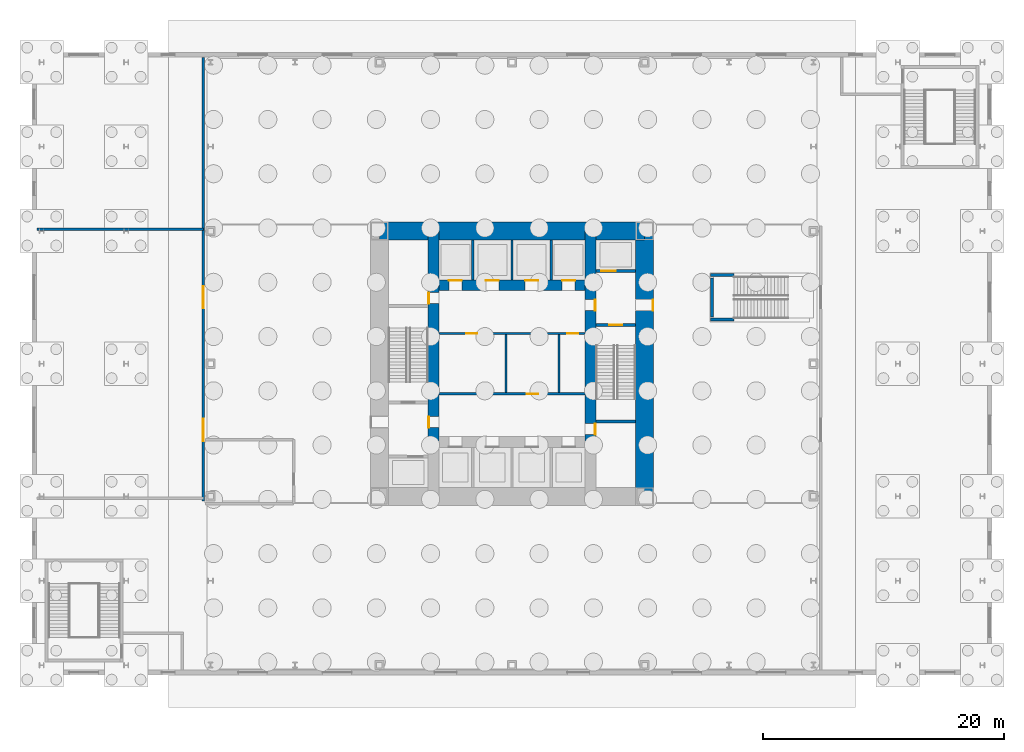
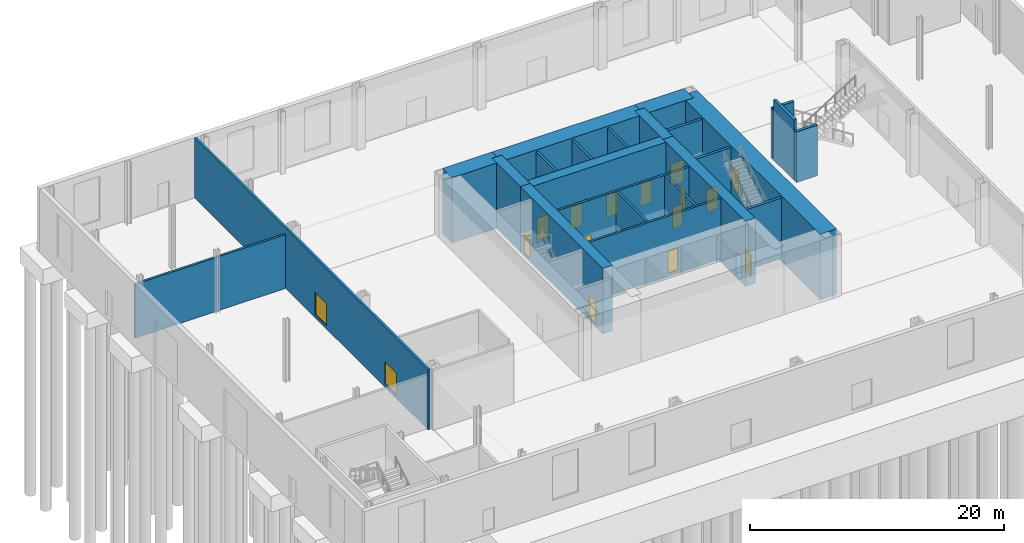
# One storey, part 10 of 16: 24 walls, 16 doors, 16 openings.
"""IFC4 building model written with IfcOpenShell, lengths in metres."""

from ifc_helpers import new_model, si_unit, direction, frame, frame_2d, origin, place, context, subcontext, project, spatial, rectangle, extrude, material, layer, layer_set, type_object, element, fill, save


model = new_model("IFC4")

# Units and contexts
model_context = context("Model", 3, precision=1e-05, world=origin(), true_north=direction((0.0, 1.0)))
body_context = subcontext(model_context, "Body", "Model", "MODEL_VIEW")
ifc_project = project(units=[si_unit("LENGTHUNIT", "METRE"), si_unit("AREAUNIT", "SQUARE_METRE"), si_unit("VOLUMEUNIT", "CUBIC_METRE"), si_unit("PLANEANGLEUNIT", "RADIAN"), si_unit("MASSUNIT", "GRAM", prefix="KILO")], contexts=[model_context])

# Site, building, storey
site_placement = place(None, origin())
site = spatial("IfcSite", under=ifc_project, at=site_placement, CompositionType="ELEMENT")
building_placement = place(site_placement, origin())
building = spatial("IfcBuilding", under=site, at=building_placement, Name="Trevanion Tower", CompositionType="ELEMENT")
storey_placement = place(building_placement, origin())
storey = spatial("IfcBuildingStorey", under=building, at=storey_placement, Name="L00", CompositionType="ELEMENT", Elevation=0.0)

# Wall, opening, door
ifc_material_1 = material(Name="Concrete 10,000 psi", Category="concrete")
ifc_layer_1 = layer(ifc_material_1, 1.5)
ifc_layer_set_1 = layer_set([ifc_layer_1], Name="CW1 core wall 1500")
wall_type_1 = type_object("IfcWallType", Name="CW1 core wall 1500", PredefinedType="SHEAR", material=ifc_layer_set_1)
wall_1_placement = place(storey_placement, frame((11.0, -11.0, -0.300048828125), z_axis=(0.0, 0.0, 1.0), x_axis=(0.0, 1.0, 0.0)))
wall_1 = element("IfcWall", 1, at=wall_1_placement, inside=storey, type_object=wall_type_1, Name="CW1 CE L00", PredefinedType="SHEAR", context=body_context, shape_type="SweptSolid", body=[
    extrude(rectangle(XDim=22.0, YDim=1.5, at=frame_2d((11.0, 0.0))), origin(), (0.0, 0.0, 1.0), 6.300048828125),
])
opening_1_placement = place(wall_1_placement, frame((15.392578125, 0.0, 0.300048828125)))
opening_1 = element("IfcOpeningElement", 2, at=opening_1_placement, cuts=wall_1, Name="Opening 00-001", PredefinedType="OPENING", context=body_context, shape_type="SweptSolid", body=[
    extrude(rectangle(XDim=0.9150390625, YDim=2.134033203125, at=frame_2d((0.45751953125, 1.06689453125))), frame((0.0, 0.760009765625, 0.0), z_axis=(0.0, -1.0, 0.0), x_axis=(1.0, 0.0, 0.0)), (0.0, 0.0, 1.0), 1.52001953125),
])
ifc_material_2 = material(Name="Hollow metal, fire rated", Category="steel")
door_type_1 = type_object("IfcDoorType", Name="D3 fire lift lobby door", OperationType="SINGLE_SWING_RIGHT", PredefinedType="DOOR", material=ifc_material_2)
door_1_placement = place(opening_1_placement, origin())
door_1 = element("IfcDoor", 3, at=door_1_placement, inside=storey, type_object=door_type_1, Name="Door 00-001", OperationType="SINGLE_SWING_RIGHT", OverallHeight=2.134033203125, OverallWidth=0.9150390625, PredefinedType="DOOR", context=body_context, shape_type="SweptSolid", body=[
    extrude(rectangle(XDim=0.9150390625, YDim=2.134033203125, at=frame_2d((0.45751953125, 1.06689453125))), frame((0.0, -0.6748046875, 0.0), z_axis=(0.0, -1.0, 0.0), x_axis=(1.0, 0.0, 0.0)), (0.0, 0.0, 1.0), 0.050048828125),
])
fill(opening_1, door_1)

# Walls
wall_2_placement = place(storey_placement, frame((11.0, 11.0, -0.300048828125), z_axis=(0.0, 0.0, 1.0), x_axis=(-1.0, 0.0, 0.0)))
element("IfcWall", 4, at=wall_2_placement, inside=storey, type_object=wall_type_1, Name="CW1 CN1 L00", PredefinedType="SHEAR", context=body_context, shape_type="SweptSolid", body=[
    extrude(rectangle(XDim=4.5, YDim=1.5, at=frame_2d((2.25, 0.0))), origin(), (0.0, 0.0, 1.0), 6.300048828125),
])
wall_3_placement = place(storey_placement, frame((6.5, 11.0, -0.300048828125), z_axis=(0.0, 0.0, 1.0), x_axis=(-1.0, 0.0, 0.0)))
element("IfcWall", 5, at=wall_3_placement, inside=storey, type_object=wall_type_1, Name="CW1 CN2 L00", PredefinedType="SHEAR", context=body_context, shape_type="SweptSolid", body=[
    extrude(rectangle(XDim=13.0, YDim=1.5, at=frame_2d((6.5, 0.0))), origin(), (0.0, 0.0, 1.0), 6.300048828125),
])
wall_4_placement = place(storey_placement, frame((-6.5, 11.0, -0.300048828125), z_axis=(0.0, 0.0, 1.0), x_axis=(-1.0, 0.0, 0.0)))
element("IfcWall", 6, at=wall_4_placement, inside=storey, type_object=wall_type_1, Name="CW1 CN3 L00", PredefinedType="SHEAR", context=body_context, shape_type="SweptSolid", body=[
    extrude(rectangle(XDim=4.5, YDim=1.5, at=frame_2d((2.25, 0.0))), origin(), (0.0, 0.0, 1.0), 6.300048828125),
])

# Wall, openings, doors
ifc_material_3 = material(Name="Concrete 10,000 psi", Category="concrete")
ifc_layer_2 = layer(ifc_material_3, 0.89990234375)
ifc_layer_set_2 = layer_set([ifc_layer_2], Name="CW2 core wall 900")
wall_type_2 = type_object("IfcWallType", Name="CW2 core wall 900", PredefinedType="SHEAR", material=ifc_layer_set_2)
wall_5_placement = place(storey_placement, frame((6.5, -6.5, -0.300048828125), z_axis=(0.0, 0.0, 1.0), x_axis=(0.0, 1.0, 0.0)))
wall_5 = element("IfcWall", 7, at=wall_5_placement, inside=storey, type_object=wall_type_2, Name="CW2 RE2 L00", PredefinedType="SHEAR", context=body_context, shape_type="SweptSolid", body=[
    extrude(rectangle(XDim=13.0, YDim=0.89990234375, at=frame_2d((6.5, 0.0))), origin(), (0.0, 0.0, 1.0), 6.300048828125),
])
opening_2_placement = place(wall_5_placement, frame((10.892578125, 0.0, 0.300048828125)))
opening_2 = element("IfcOpeningElement", 8, at=opening_2_placement, cuts=wall_5, Name="Opening 00-003", PredefinedType="OPENING", context=body_context, shape_type="SweptSolid", body=[
    extrude(rectangle(XDim=0.9150390625, YDim=2.134033203125, at=frame_2d((0.45751953125, 1.06689453125))), frame((0.0, 0.4599609375, 0.0), z_axis=(0.0, -1.0, 0.0), x_axis=(1.0, 0.0, 0.0)), (0.0, 0.0, 1.0), 0.919921875),
])
opening_3_placement = place(wall_5_placement, frame((0.610107421875, 0.0, 0.300048828125)))
opening_3 = element("IfcOpeningElement", 9, at=opening_3_placement, cuts=wall_5, Name="Opening 00-009", PredefinedType="OPENING", context=body_context, shape_type="SweptSolid", body=[
    extrude(rectangle(XDim=0.9150390625, YDim=2.134033203125, at=frame_2d((0.45751953125, 1.06689453125))), frame((0.0, 0.4599609375, 0.0), z_axis=(0.0, -1.0, 0.0), x_axis=(1.0, 0.0, 0.0)), (0.0, 0.0, 1.0), 0.919921875),
])
door_2_placement = place(opening_2_placement, origin())
door_2 = element("IfcDoor", 10, at=door_2_placement, inside=storey, type_object=door_type_1, Name="Door 00-003", OperationType="SINGLE_SWING_RIGHT", OverallHeight=2.134033203125, OverallWidth=0.9150390625, PredefinedType="DOOR", context=body_context, shape_type="SweptSolid", body=[
    extrude(rectangle(XDim=0.9150390625, YDim=2.134033203125, at=frame_2d((0.45751953125, 1.06689453125))), frame((0.0, -0.375, 0.0), z_axis=(0.0, -1.0, 0.0), x_axis=(1.0, 0.0, 0.0)), (0.0, 0.0, 1.0), 0.050048828125),
])
fill(opening_2, door_2)
ifc_material_4 = material(Name="Hollow metal, fire rated", Category="steel")
door_type_2 = type_object("IfcDoorType", Name="D5 service room door", OperationType="SINGLE_SWING_RIGHT", PredefinedType="DOOR", material=ifc_material_4)
door_3_placement = place(opening_3_placement, origin())
door_3 = element("IfcDoor", 11, at=door_3_placement, inside=storey, type_object=door_type_2, Name="Door 00-009", OperationType="SINGLE_SWING_RIGHT", OverallHeight=2.134033203125, OverallWidth=0.9150390625, PredefinedType="DOOR", context=body_context, shape_type="SweptSolid", body=[
    extrude(rectangle(XDim=0.9150390625, YDim=2.134033203125, at=frame_2d((0.45751953125, 1.06689453125))), frame((0.0, -0.375, 0.0), z_axis=(0.0, -1.0, 0.0), x_axis=(1.0, 0.0, 0.0)), (0.0, 0.0, 1.0), 0.050048828125),
])
fill(opening_3, door_3)

# Walls
for number, where, z_axis, x_axis, name in (
    (12, (6.5, 6.5, -0.300048828125), (0.0, 0.0, 1.0), (0.0, 1.0, 0.0), "CW2 RE3 L00"),
    (13, (-6.5, 11.0, -0.300048828125), (0.0, 0.0, 1.0), (0.0, -1.0, 0.0), "CW2 RW1 L00"),
):
    element("IfcWall", number, at=place(storey_placement, frame(where, z_axis=z_axis, x_axis=x_axis)), inside=storey, type_object=wall_type_2, Name=name, PredefinedType="SHEAR", context=body_context, shape_type="SweptSolid", body=[
        extrude(rectangle(XDim=4.5, YDim=0.89990234375, at=frame_2d((2.25, 0.0))), origin(), (0.0, 0.0, 1.0), 6.300048828125),
    ])

# Wall, openings, doors
wall_6_placement = place(storey_placement, frame((-6.5, 6.5, -0.300048828125), z_axis=(0.0, 0.0, 1.0), x_axis=(0.0, -1.0, 0.0)))
wall_6 = element("IfcWall", 14, at=wall_6_placement, inside=storey, type_object=wall_type_2, Name="CW2 RW2 L00", PredefinedType="SHEAR", context=body_context, shape_type="SweptSolid", body=[
    extrude(rectangle(XDim=13.0, YDim=0.89990234375, at=frame_2d((6.5, 0.0))), origin(), (0.0, 0.0, 1.0), 6.300048828125),
])
opening_4_placement = place(wall_6_placement, frame((10.892578125, 0.0, 0.300048828125)))
opening_4 = element("IfcOpeningElement", 15, at=opening_4_placement, cuts=wall_6, Name="Opening 00-004", PredefinedType="OPENING", context=body_context, shape_type="SweptSolid", body=[
    extrude(rectangle(XDim=0.9150390625, YDim=2.134033203125, at=frame_2d((0.45751953125, 1.06689453125))), frame((0.0, 0.4599609375, 0.0), z_axis=(0.0, -1.0, 0.0), x_axis=(1.0, 0.0, 0.0)), (0.0, 0.0, 1.0), 0.919921875),
])
opening_5_placement = place(wall_6_placement, frame((0.610107421875, 0.0, 0.300048828125)))
opening_5 = element("IfcOpeningElement", 16, at=opening_5_placement, cuts=wall_6, Name="Opening 00-010", PredefinedType="OPENING", context=body_context, shape_type="SweptSolid", body=[
    extrude(rectangle(XDim=0.9150390625, YDim=2.134033203125, at=frame_2d((0.45751953125, 1.06689453125))), frame((0.0, 0.4599609375, 0.0), z_axis=(0.0, -1.0, 0.0), x_axis=(1.0, 0.0, 0.0)), (0.0, 0.0, 1.0), 0.919921875),
])
door_4_placement = place(opening_4_placement, origin())
door_4 = element("IfcDoor", 17, at=door_4_placement, inside=storey, type_object=door_type_1, Name="Door 00-004", OperationType="SINGLE_SWING_RIGHT", OverallHeight=2.134033203125, OverallWidth=0.9150390625, PredefinedType="DOOR", context=body_context, shape_type="SweptSolid", body=[
    extrude(rectangle(XDim=0.9150390625, YDim=2.134033203125, at=frame_2d((0.45751953125, 1.06689453125))), frame((0.0, -0.375, 0.0), z_axis=(0.0, -1.0, 0.0), x_axis=(1.0, 0.0, 0.0)), (0.0, 0.0, 1.0), 0.050048828125),
])
fill(opening_4, door_4)
door_5_placement = place(opening_5_placement, origin())
door_5 = element("IfcDoor", 18, at=door_5_placement, inside=storey, type_object=door_type_2, Name="Door 00-010", OperationType="SINGLE_SWING_RIGHT", OverallHeight=2.134033203125, OverallWidth=0.9150390625, PredefinedType="DOOR", context=body_context, shape_type="SweptSolid", body=[
    extrude(rectangle(XDim=0.9150390625, YDim=2.134033203125, at=frame_2d((0.45751953125, 1.06689453125))), frame((0.0, -0.375, 0.0), z_axis=(0.0, -1.0, 0.0), x_axis=(1.0, 0.0, 0.0)), (0.0, 0.0, 1.0), 0.050048828125),
])
fill(opening_5, door_5)

wall_7_placement = place(storey_placement, frame((6.5, 6.5, -0.300048828125), z_axis=(0.0, 0.0, 1.0), x_axis=(-1.0, 0.0, 0.0)))
wall_7 = element("IfcWall", 19, at=wall_7_placement, inside=storey, type_object=wall_type_2, Name="CW2 RN L00", PredefinedType="SHEAR", context=body_context, shape_type="SweptSolid", body=[
    extrude(rectangle(XDim=13.0, YDim=0.89990234375, at=frame_2d((6.5, 0.0))), origin(), (0.0, 0.0, 1.0), 6.300048828125),
])
opening_6_placement = place(wall_7_placement, frame((10.66650390625, 0.0, 0.300048828125)))
opening_6 = element("IfcOpeningElement", 20, at=opening_6_placement, cuts=wall_7, Name="Opening 00-011", PredefinedType="OPENING", context=body_context, shape_type="SweptSolid", body=[
    extrude(rectangle(XDim=1.06689453125, YDim=2.134033203125, at=frame_2d((0.533447265625, 1.06689453125))), frame((0.0, 0.4599609375, 0.0), z_axis=(0.0, -1.0, 0.0), x_axis=(1.0, 0.0, 0.0)), (0.0, 0.0, 1.0), 0.919921875),
])
opening_7_placement = place(wall_7_placement, frame((7.591552734375, 0.0, 0.300048828125)))
opening_7 = element("IfcOpeningElement", 21, at=opening_7_placement, cuts=wall_7, Name="Opening 00-012", PredefinedType="OPENING", context=body_context, shape_type="SweptSolid", body=[
    extrude(rectangle(XDim=1.06689453125, YDim=2.134033203125, at=frame_2d((0.533447265625, 1.06689453125))), frame((0.0, 0.4599609375, 0.0), z_axis=(0.0, -1.0, 0.0), x_axis=(1.0, 0.0, 0.0)), (0.0, 0.0, 1.0), 0.919921875),
])
opening_8_placement = place(wall_7_placement, frame((4.341552734375, 0.0, 0.300048828125)))
opening_8 = element("IfcOpeningElement", 22, at=opening_8_placement, cuts=wall_7, Name="Opening 00-013", PredefinedType="OPENING", context=body_context, shape_type="SweptSolid", body=[
    extrude(rectangle(XDim=1.06689453125, YDim=2.134033203125, at=frame_2d((0.533447265625, 1.06689453125))), frame((0.0, 0.4599609375, 0.0), z_axis=(0.0, -1.0, 0.0), x_axis=(1.0, 0.0, 0.0)), (0.0, 0.0, 1.0), 0.919921875),
])
opening_9_placement = place(wall_7_placement, frame((1.2666015625, 0.0, 0.300048828125)))
opening_9 = element("IfcOpeningElement", 23, at=opening_9_placement, cuts=wall_7, Name="Opening 00-014", PredefinedType="OPENING", context=body_context, shape_type="SweptSolid", body=[
    extrude(rectangle(XDim=1.06689453125, YDim=2.134033203125, at=frame_2d((0.533447265625, 1.06689453125))), frame((0.0, 0.4599609375, 0.0), z_axis=(0.0, -1.0, 0.0), x_axis=(1.0, 0.0, 0.0)), (0.0, 0.0, 1.0), 0.919921875),
])
ifc_material_5 = material(Name="Stainless steel, fire rated", Category="steel")
door_type_3 = type_object("IfcDoorType", Name="LD1 lift landing door", OperationType="SLIDING_TO_LEFT", PredefinedType="DOOR", material=ifc_material_5)
door_6_placement = place(opening_6_placement, origin())
door_6 = element("IfcDoor", 24, at=door_6_placement, inside=storey, type_object=door_type_3, Name="Door 00-011", OperationType="SLIDING_TO_LEFT", OverallHeight=2.134033203125, OverallWidth=1.06689453125, PredefinedType="DOOR", context=body_context, shape_type="SweptSolid", body=[
    extrude(rectangle(XDim=1.06689453125, YDim=2.134033203125, at=frame_2d((0.533447265625, 1.06689453125))), frame((0.0, -0.375, 0.0), z_axis=(0.0, -1.0, 0.0), x_axis=(1.0, 0.0, 0.0)), (0.0, 0.0, 1.0), 0.050048828125),
])
fill(opening_6, door_6)
door_7_placement = place(opening_7_placement, origin())
door_7 = element("IfcDoor", 25, at=door_7_placement, inside=storey, type_object=door_type_3, Name="Door 00-012", OperationType="SLIDING_TO_LEFT", OverallHeight=2.134033203125, OverallWidth=1.06689453125, PredefinedType="DOOR", context=body_context, shape_type="SweptSolid", body=[
    extrude(rectangle(XDim=1.06689453125, YDim=2.134033203125, at=frame_2d((0.533447265625, 1.06689453125))), frame((0.0, -0.375, 0.0), z_axis=(0.0, -1.0, 0.0), x_axis=(1.0, 0.0, 0.0)), (0.0, 0.0, 1.0), 0.050048828125),
])
fill(opening_7, door_7)
door_8_placement = place(opening_8_placement, origin())
door_8 = element("IfcDoor", 26, at=door_8_placement, inside=storey, type_object=door_type_3, Name="Door 00-013", OperationType="SLIDING_TO_LEFT", OverallHeight=2.134033203125, OverallWidth=1.06689453125, PredefinedType="DOOR", context=body_context, shape_type="SweptSolid", body=[
    extrude(rectangle(XDim=1.06689453125, YDim=2.134033203125, at=frame_2d((0.533447265625, 1.06689453125))), frame((0.0, -0.375, 0.0), z_axis=(0.0, -1.0, 0.0), x_axis=(1.0, 0.0, 0.0)), (0.0, 0.0, 1.0), 0.050048828125),
])
fill(opening_8, door_8)
door_9_placement = place(opening_9_placement, origin())
door_9 = element("IfcDoor", 27, at=door_9_placement, inside=storey, type_object=door_type_3, Name="Door 00-014", OperationType="SLIDING_TO_LEFT", OverallHeight=2.134033203125, OverallWidth=1.06689453125, PredefinedType="DOOR", context=body_context, shape_type="SweptSolid", body=[
    extrude(rectangle(XDim=1.06689453125, YDim=2.134033203125, at=frame_2d((0.533447265625, 1.06689453125))), frame((0.0, -0.375, 0.0), z_axis=(0.0, -1.0, 0.0), x_axis=(1.0, 0.0, 0.0)), (0.0, 0.0, 1.0), 0.050048828125),
])
fill(opening_9, door_9)

# Walls
ifc_material_6 = material(Name="Concrete masonry, grouted", Category="masonry")
ifc_layer_3 = layer(ifc_material_6, 0.199951171875)
ifc_layer_set_3 = layer_set([ifc_layer_3], Name="PT2 partition 200")
wall_type_3 = type_object("IfcWallType", Name="PT2 partition 200", PredefinedType="PARTITIONING", material=ifc_layer_set_3)
for number, where, z_axis, x_axis, name in (
    (28, (-0.5, -2.39990234375, 0.0), (0.0, 0.0, 1.0), (0.0, 1.0, 0.0), "PT2 L00 TP1"),
    (29, (3.89990234375, -2.39990234375, 0.0), (0.0, 0.0, 1.0), (0.0, 1.0, 0.0), "PT2 L00 TP2"),
):
    element("IfcWall", number, at=place(storey_placement, frame(where, z_axis=z_axis, x_axis=x_axis)), inside=storey, type_object=wall_type_3, Name=name, PredefinedType="PARTITIONING", context=body_context, shape_type="SweptSolid", body=[
        extrude(rectangle(XDim=4.7998046875, YDim=0.199951171875, at=frame_2d((2.39990234375, 0.0))), origin(), (0.0, 0.0, 1.0), 5.81005859375),
    ])

# Wall, openings, doors
ifc_material_7 = material(Name="Concrete masonry, grouted", Category="masonry")
ifc_layer_4 = layer(ifc_material_7, 0.199951171875)
ifc_layer_set_4 = layer_set([ifc_layer_4], Name="PT2 partition 200 1 HR")
wall_type_4 = type_object("IfcWallType", Name="PT2 partition 200 1 HR", PredefinedType="PARTITIONING", material=ifc_layer_set_4)
wall_8_placement = place(storey_placement, frame((-6.050048828125, 2.5, 0.0), z_axis=(0.0, 0.0, 1.0), x_axis=(1.0, 0.0, 0.0)))
wall_8 = element("IfcWall", 30, at=wall_8_placement, inside=storey, type_object=wall_type_4, Name="PT2 L00 CP1", PredefinedType="PARTITIONING", context=body_context, shape_type="SweptSolid", body=[
    extrude(rectangle(XDim=12.10009765625, YDim=0.199951171875, at=frame_2d((6.050048828125, 0.0))), origin(), (0.0, 0.0, 1.0), 5.81005859375),
])
opening_10_placement = place(wall_8_placement, frame((2.267578125, 0.0, 0.300048828125)))
opening_10 = element("IfcOpeningElement", 31, at=opening_10_placement, cuts=wall_8, Name="Opening 00-019", PredefinedType="OPENING", context=body_context, shape_type="SweptSolid", body=[
    extrude(rectangle(XDim=0.9150390625, YDim=2.134033203125, at=frame_2d((0.45751953125, 1.06689453125))), frame((0.0, 0.10986328125, 0.0), z_axis=(0.0, -1.0, 0.0), x_axis=(1.0, 0.0, 0.0)), (0.0, 0.0, 1.0), 0.219970703125),
])
opening_11_placement = place(wall_8_placement, frame((10.617431640625, 0.0, 0.300048828125)))
opening_11 = element("IfcOpeningElement", 32, at=opening_11_placement, cuts=wall_8, Name="Opening 00-021", PredefinedType="OPENING", context=body_context, shape_type="SweptSolid", body=[
    extrude(rectangle(XDim=0.9150390625, YDim=2.134033203125, at=frame_2d((0.45751953125, 1.06689453125))), frame((0.0, 0.10986328125, 0.0), z_axis=(0.0, -1.0, 0.0), x_axis=(1.0, 0.0, 0.0)), (0.0, 0.0, 1.0), 0.219970703125),
])
ifc_material_8 = material(Name="Plastic laminate on fire-rated core", Category="wood")
door_type_4 = type_object("IfcDoorType", Name="D12 toilet door in a one hour wall", OperationType="SINGLE_SWING_LEFT", PredefinedType="DOOR", material=ifc_material_8)
door_10_placement = place(opening_10_placement, origin())
door_10 = element("IfcDoor", 33, at=door_10_placement, inside=storey, type_object=door_type_4, Name="Door 00-019", OperationType="SINGLE_SWING_LEFT", OverallHeight=2.134033203125, OverallWidth=0.9150390625, PredefinedType="DOOR", context=body_context, shape_type="SweptSolid", body=[
    extrude(rectangle(XDim=0.9150390625, YDim=2.134033203125, at=frame_2d((0.45751953125, 1.06689453125))), frame((0.0, 0.02490234375, 0.0), z_axis=(0.0, -1.0, 0.0), x_axis=(1.0, 0.0, 0.0)), (0.0, 0.0, 1.0), 0.050048828125),
])
fill(opening_10, door_10)
door_11_placement = place(opening_11_placement, origin())
door_11 = element("IfcDoor", 34, at=door_11_placement, inside=storey, type_object=door_type_4, Name="Door 00-021", OperationType="SINGLE_SWING_LEFT", OverallHeight=2.134033203125, OverallWidth=0.9150390625, PredefinedType="DOOR", context=body_context, shape_type="SweptSolid", body=[
    extrude(rectangle(XDim=0.9150390625, YDim=2.134033203125, at=frame_2d((0.45751953125, 1.06689453125))), frame((0.0, 0.02490234375, 0.0), z_axis=(0.0, -1.0, 0.0), x_axis=(1.0, 0.0, 0.0)), (0.0, 0.0, 1.0), 0.050048828125),
])
fill(opening_11, door_11)

# Wall, opening, door
wall_9_placement = place(storey_placement, frame((6.050048828125, -2.5, 0.0), z_axis=(0.0, 0.0, 1.0), x_axis=(-1.0, 0.0, 0.0)))
wall_9 = element("IfcWall", 35, at=wall_9_placement, inside=storey, type_object=wall_type_4, Name="PT2 L00 CP2", PredefinedType="PARTITIONING", context=body_context, shape_type="SweptSolid", body=[
    extrude(rectangle(XDim=12.10009765625, YDim=0.199951171875, at=frame_2d((6.050048828125, 0.0))), origin(), (0.0, 0.0, 1.0), 5.81005859375),
])
opening_12_placement = place(wall_9_placement, frame((3.892578125, 0.0, 0.300048828125)))
opening_12 = element("IfcOpeningElement", 36, at=opening_12_placement, cuts=wall_9, Name="Opening 00-020", PredefinedType="OPENING", context=body_context, shape_type="SweptSolid", body=[
    extrude(rectangle(XDim=0.9150390625, YDim=2.134033203125, at=frame_2d((0.45751953125, 1.06689453125))), frame((0.0, 0.10986328125, 0.0), z_axis=(0.0, -1.0, 0.0), x_axis=(1.0, 0.0, 0.0)), (0.0, 0.0, 1.0), 0.219970703125),
])
door_12_placement = place(opening_12_placement, origin())
door_12 = element("IfcDoor", 37, at=door_12_placement, inside=storey, type_object=door_type_4, Name="Door 00-020", OperationType="SINGLE_SWING_LEFT", OverallHeight=2.134033203125, OverallWidth=0.9150390625, PredefinedType="DOOR", context=body_context, shape_type="SweptSolid", body=[
    extrude(rectangle(XDim=0.9150390625, YDim=2.134033203125, at=frame_2d((0.45751953125, 1.06689453125))), frame((0.0, 0.02490234375, 0.0), z_axis=(0.0, -1.0, 0.0), x_axis=(1.0, 0.0, 0.0)), (0.0, 0.0, 1.0), 0.050048828125),
])
fill(opening_12, door_12)

# Wall, openings, doors
wall_10_placement = place(storey_placement, frame((-25.60009765625, 25.409912109375, 0.0), z_axis=(0.0, 0.0, 1.0), x_axis=(0.0, -1.0, 0.0)))
wall_10 = element("IfcWall", 38, at=wall_10_placement, inside=storey, type_object=wall_type_4, Name="PT2 L00 WW1", PredefinedType="PARTITIONING", context=body_context, shape_type="SweptSolid", body=[
    extrude(rectangle(XDim=36.809814453125, YDim=0.199951171875, at=frame_2d((18.40478515625, 0.0))), origin(), (0.0, 0.0, 1.0), 5.81005859375),
])
opening_13_placement = place(wall_10_placement, frame((29.9951171875, 0.0, 0.300048828125)))
opening_13 = element("IfcOpeningElement", 39, at=opening_13_placement, cuts=wall_10, Name="Opening 00-026", PredefinedType="OPENING", context=body_context, shape_type="SweptSolid", body=[
    extrude(rectangle(XDim=1.830078125, YDim=2.134033203125, at=frame_2d((0.9150390625, 1.06689453125))), frame((0.0, 0.10986328125, 0.0), z_axis=(0.0, -1.0, 0.0), x_axis=(1.0, 0.0, 0.0)), (0.0, 0.0, 1.0), 0.219970703125),
])
opening_14_placement = place(wall_10_placement, frame((18.9951171875, 0.0, 0.300048828125)))
opening_14 = element("IfcOpeningElement", 40, at=opening_14_placement, cuts=wall_10, Name="Opening 00-027", PredefinedType="OPENING", context=body_context, shape_type="SweptSolid", body=[
    extrude(rectangle(XDim=1.830078125, YDim=2.134033203125, at=frame_2d((0.9150390625, 1.06689453125))), frame((0.0, 0.10986328125, 0.0), z_axis=(0.0, -1.0, 0.0), x_axis=(1.0, 0.0, 0.0)), (0.0, 0.0, 1.0), 0.219970703125),
])
ifc_material_9 = material(Name="Timber veneer, fire rated", Category="wood")
door_type_5 = type_object("IfcDoorType", Name="D8 wing double door", OperationType="DOUBLE_DOOR_DOUBLE_SWING", PredefinedType="DOOR", material=ifc_material_9)
door_13_placement = place(opening_13_placement, frame((1.830078125, 0.0, 0.0), z_axis=(0.0, 0.0, 1.0), x_axis=(-1.0, 0.0, 0.0)))
door_13 = element("IfcDoor", 41, at=door_13_placement, inside=storey, type_object=door_type_5, Name="Door 00-026", OperationType="DOUBLE_DOOR_DOUBLE_SWING", OverallHeight=2.134033203125, OverallWidth=1.830078125, PredefinedType="DOOR", context=body_context, shape_type="SweptSolid", body=[
    extrude(rectangle(XDim=1.830078125, YDim=2.134033203125, at=frame_2d((0.9150390625, 1.06689453125))), frame((0.0, 0.02490234375, 0.0), z_axis=(0.0, -1.0, 0.0), x_axis=(1.0, 0.0, 0.0)), (0.0, 0.0, 1.0), 0.050048828125),
])
fill(opening_13, door_13)
door_14_placement = place(opening_14_placement, origin())
door_14 = element("IfcDoor", 42, at=door_14_placement, inside=storey, type_object=door_type_5, Name="Door 00-027", OperationType="DOUBLE_DOOR_DOUBLE_SWING", OverallHeight=2.134033203125, OverallWidth=1.830078125, PredefinedType="DOOR", context=body_context, shape_type="SweptSolid", body=[
    extrude(rectangle(XDim=1.830078125, YDim=2.134033203125, at=frame_2d((0.9150390625, 1.06689453125))), frame((0.0, 0.02490234375, 0.0), z_axis=(0.0, -1.0, 0.0), x_axis=(1.0, 0.0, 0.0)), (0.0, 0.0, 1.0), 0.050048828125),
])
fill(opening_14, door_14)

# Walls
ifc_material_10 = material(Name="Concrete masonry, grouted", Category="masonry")
ifc_layer_5 = layer(ifc_material_10, 0.199951171875)
ifc_layer_set_5 = layer_set([ifc_layer_5], Name="PT2 partition 200 2 HR")
wall_type_5 = type_object("IfcWallType", Name="PT2 partition 200 2 HR", PredefinedType="PARTITIONING", material=ifc_layer_set_5)
for number, where, z_axis, x_axis, name in (
    (43, (-3.25, 6.949951171875, 0.0), (0.0, 0.0, 1.0), (0.0, 1.0, 0.0), "PT2 L00 NS0"),
    (44, (0.0, 6.949951171875, 0.0), (0.0, 0.0, 1.0), (0.0, 1.0, 0.0), "PT2 L00 NS1"),
    (45, (3.25, 6.949951171875, 0.0), (0.0, 0.0, 1.0), (0.0, 1.0, 0.0), "PT2 L00 NS2"),
):
    element("IfcWall", number, at=place(storey_placement, frame(where, z_axis=z_axis, x_axis=x_axis)), inside=storey, type_object=wall_type_5, Name=name, PredefinedType="PARTITIONING", context=body_context, shape_type="SweptSolid", body=[
        extrude(rectangle(XDim=3.300048828125, YDim=0.199951171875, at=frame_2d((1.64990234375, 0.0))), origin(), (0.0, 0.0, 1.0), 5.81005859375),
    ])
wall_11_placement = place(storey_placement, frame((-25.60009765625, 11.14990234375, 0.0), z_axis=(0.0, 0.0, 1.0), x_axis=(-1.0, 0.0, 0.0)))
element("IfcWall", 46, at=wall_11_placement, inside=storey, type_object=wall_type_5, Name="PT2 L00 LW1", PredefinedType="PARTITIONING", context=body_context, shape_type="SweptSolid", body=[
    extrude(rectangle(XDim=13.809814453125, YDim=0.199951171875, at=frame_2d((6.90478515625, 0.0))), origin(), (0.0, 0.0, 1.0), 5.19775390625),
])

# Wall, opening, door
ifc_material_11 = material(Name="Concrete masonry, grouted, two-hour", Category="masonry")
ifc_layer_6 = layer(ifc_material_11, 0.25)
ifc_layer_set_6 = layer_set([ifc_layer_6], Name="PT3 partition 250 2 HR")
wall_type_6 = type_object("IfcWallType", Name="PT3 partition 250 2 HR", PredefinedType="PARTITIONING", material=ifc_layer_set_6)
wall_12_placement = place(storey_placement, frame((6.949951171875, 7.699951171875, 0.0), z_axis=(0.0, 0.0, 1.0), x_axis=(1.0, 0.0, 0.0)))
wall_12 = element("IfcWall", 47, at=wall_12_placement, inside=storey, type_object=wall_type_6, Name="PT3 L00 EP3", PredefinedType="PARTITIONING", context=body_context, shape_type="SweptSolid", body=[
    extrude(rectangle(XDim=3.300048828125, YDim=0.25, at=frame_2d((1.64990234375, 0.0))), origin(), (0.0, 0.0, 1.0), 5.81005859375),
])
opening_15_placement = place(wall_12_placement, frame((0.449951171875, 0.0, 0.300048828125)))
opening_15 = element("IfcOpeningElement", 48, at=opening_15_placement, cuts=wall_12, Name="Opening 00-007", PredefinedType="OPENING", context=body_context, shape_type="SweptSolid", body=[
    extrude(rectangle(XDim=1.218994140625, YDim=2.134033203125, at=frame_2d((0.609375, 1.06689453125))), frame((0.0, 0.135009765625, 0.0), z_axis=(0.0, -1.0, 0.0), x_axis=(1.0, 0.0, 0.0)), (0.0, 0.0, 1.0), 0.27001953125),
])
ifc_material_12 = material(Name="Stainless steel, fire rated", Category="steel")
door_type_6 = type_object("IfcDoorType", Name="LD2 fire service lift landing door", OperationType="SLIDING_TO_LEFT", PredefinedType="DOOR", material=ifc_material_12)
door_15_placement = place(opening_15_placement, origin())
door_15 = element("IfcDoor", 49, at=door_15_placement, inside=storey, type_object=door_type_6, Name="Door 00-007", OperationType="SLIDING_TO_LEFT", OverallHeight=2.134033203125, OverallWidth=1.218994140625, PredefinedType="DOOR", context=body_context, shape_type="SweptSolid", body=[
    extrude(rectangle(XDim=1.218994140625, YDim=2.134033203125, at=frame_2d((0.609375, 1.06689453125))), frame((0.0, 0.02490234375, 0.0), z_axis=(0.0, -1.0, 0.0), x_axis=(1.0, 0.0, 0.0)), (0.0, 0.0, 1.0), 0.050048828125),
])
fill(opening_15, door_15)

# Wall
ifc_material_13 = material(Name="Reinforced masonry, fully grouted", Category="masonry")
ifc_layer_7 = layer(ifc_material_13, 0.25)
ifc_layer_set_7 = layer_set([ifc_layer_7], Name="SW1 stair shaft wall 250")
wall_type_7 = type_object("IfcWallType", Name="SW1 stair shaft wall 250", PredefinedType="SOLIDWALL", material=ifc_layer_set_7)
wall_13_placement = place(storey_placement, frame((6.949951171875, -4.800048828125, 0.0), z_axis=(0.0, 0.0, 1.0), x_axis=(1.0, 0.0, 0.0)))
element("IfcWall", 50, at=wall_13_placement, inside=storey, type_object=wall_type_7, Name="SW1 L00 EP1", PredefinedType="SOLIDWALL", context=body_context, shape_type="SweptSolid", body=[
    extrude(rectangle(XDim=3.300048828125, YDim=0.25, at=frame_2d((1.64990234375, 0.0))), origin(), (0.0, 0.0, 1.0), 5.81005859375),
])

# Wall, opening, door
wall_14_placement = place(storey_placement, frame((6.949951171875, 3.199951171875, 0.0), z_axis=(0.0, 0.0, 1.0), x_axis=(1.0, 0.0, 0.0)))
wall_14 = element("IfcWall", 51, at=wall_14_placement, inside=storey, type_object=wall_type_7, Name="SW1 L00 EP2", PredefinedType="SOLIDWALL", context=body_context, shape_type="SweptSolid", body=[
    extrude(rectangle(XDim=3.300048828125, YDim=0.25, at=frame_2d((1.64990234375, 0.0))), origin(), (0.0, 0.0, 1.0), 5.81005859375),
])
opening_16_placement = place(wall_14_placement, frame((1.116455078125, 0.0, 0.300048828125)))
opening_16 = element("IfcOpeningElement", 52, at=opening_16_placement, cuts=wall_14, Name="Opening 00-005", PredefinedType="OPENING", context=body_context, shape_type="SweptSolid", body=[
    extrude(rectangle(XDim=1.06689453125, YDim=2.134033203125, at=frame_2d((0.533447265625, 1.06689453125))), frame((0.0, 0.135009765625, 0.0), z_axis=(0.0, -1.0, 0.0), x_axis=(1.0, 0.0, 0.0)), (0.0, 0.0, 1.0), 0.27001953125),
])
ifc_material_14 = material(Name="Hollow metal, fire rated", Category="steel")
door_type_7 = type_object("IfcDoorType", Name="D2 exit stair door", OperationType="SINGLE_SWING_LEFT", PredefinedType="DOOR", material=ifc_material_14)
door_16_placement = place(opening_16_placement, origin())
door_16 = element("IfcDoor", 53, at=door_16_placement, inside=storey, type_object=door_type_7, Name="Door 00-005", OperationType="SINGLE_SWING_LEFT", OverallHeight=2.134033203125, OverallWidth=1.06689453125, PredefinedType="DOOR", context=body_context, shape_type="SweptSolid", body=[
    extrude(rectangle(XDim=1.06689453125, YDim=2.134033203125, at=frame_2d((0.533447265625, 1.06689453125))), frame((0.0, 0.02490234375, 0.0), z_axis=(0.0, -1.0, 0.0), x_axis=(1.0, 0.0, 0.0)), (0.0, 0.0, 1.0), 0.050048828125),
])
fill(opening_16, door_16)

# Walls
wall_15_placement = place(storey_placement, frame((16.574951171875, 3.88134765625, 0.0), z_axis=(0.0, 0.0, 1.0), x_axis=(0.0, 1.0, 0.0)))
element("IfcWall", 54, at=wall_15_placement, inside=storey, type_object=wall_type_7, Name="SW1 GS1 GW1 half landing wall", PredefinedType="SOLIDWALL", context=body_context, shape_type="SweptSolid", body=[
    extrude(rectangle(XDim=3.237548828125, YDim=0.25, at=frame_2d((1.61865234375, 0.0))), origin(), (0.0, 0.0, 1.0), 5.81005859375),
])
for number, where, z_axis, x_axis, name in (
    (55, (16.449951171875, 7.35498046875, 0.0), (0.0, 0.0, 1.0), (1.0, 0.0, 0.0), "SW1 GS1 GW2 half landing wall"),
    (56, (18.39990234375, 3.64501953125, 0.0), (0.0, 0.0, 1.0), (-1.0, 0.0, 0.0), "SW1 GS1 GW3 half landing wall"),
):
    element("IfcWall", number, at=place(storey_placement, frame(where, z_axis=z_axis, x_axis=x_axis)), inside=storey, type_object=wall_type_7, Name=name, PredefinedType="SOLIDWALL", context=body_context, shape_type="SweptSolid", body=[
        extrude(rectangle(XDim=1.949951171875, YDim=0.25, at=frame_2d((0.97509765625, 0.0))), origin(), (0.0, 0.0, 1.0), 4.8828125),
    ])

save(model, "model.ifc")
